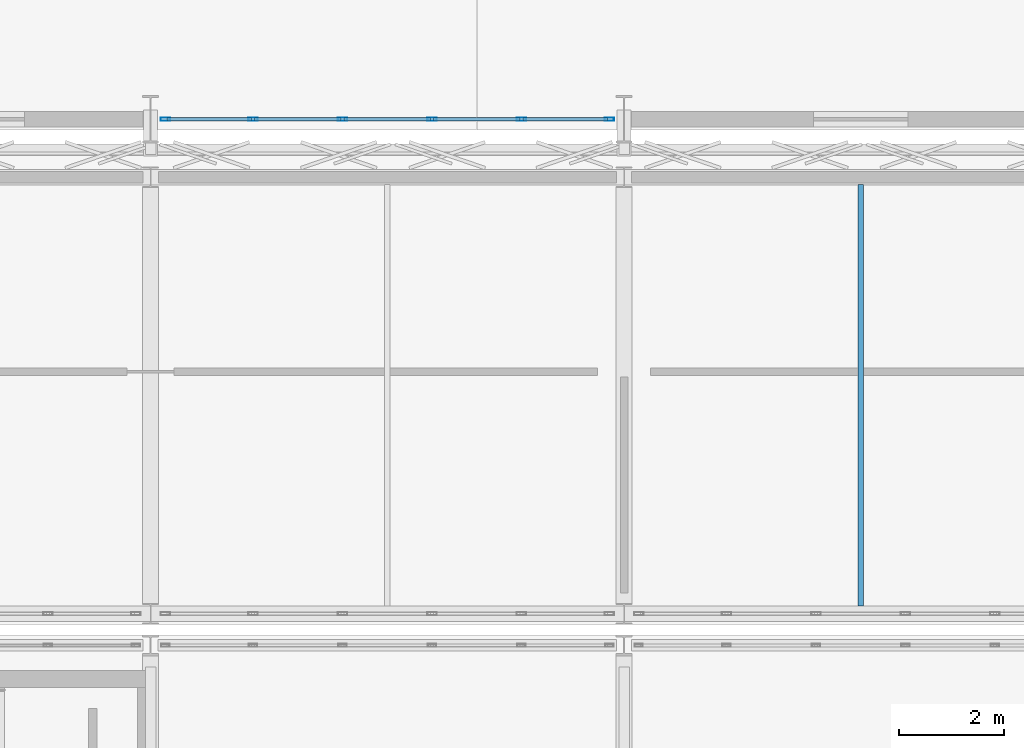
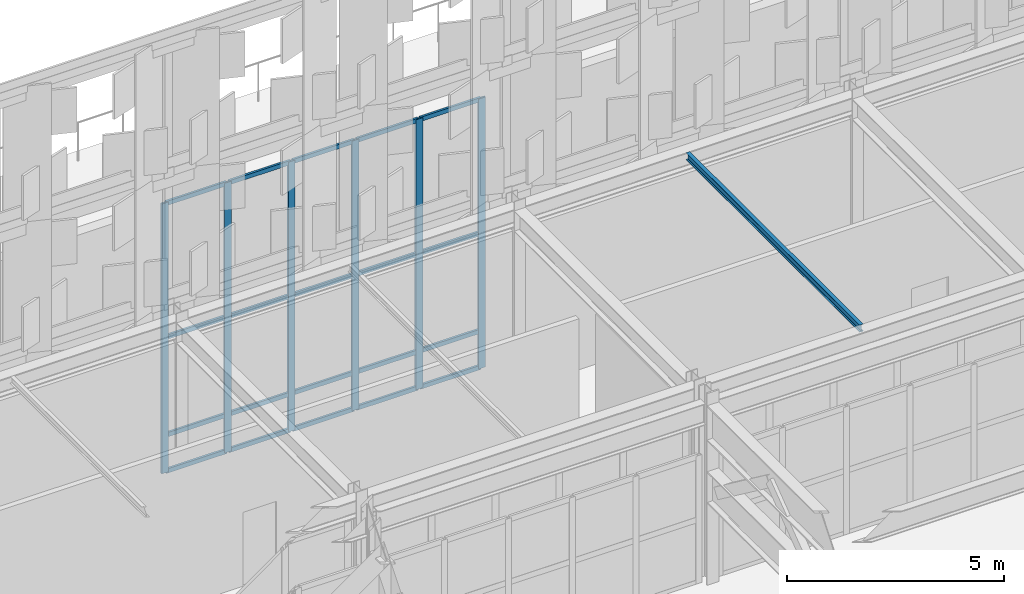
# One storey, part 52 of 210: 26 members, 1 beam, 1 element without a shape of its own.
"""IFC4 building model written with IfcOpenShell, lengths in metres."""

from ifc_helpers import new_model, si_unit, direction, frame, origin, origin_2d, place, context, subcontext, project, spatial, hollow_rectangle, i_section, extrude, material, material_profile, profile_set, type_object, element, aggregate, save


model = new_model("IFC4")

# Units and contexts
model_context = context("Model", 3, precision=1e-05, world=origin(), true_north=direction((0.0, 1.0)))
body_context = subcontext(model_context, "Body", "Model", "MODEL_VIEW")
ifc_project = project(units=[si_unit("LENGTHUNIT", "METRE"), si_unit("AREAUNIT", "SQUARE_METRE"), si_unit("VOLUMEUNIT", "CUBIC_METRE"), si_unit("PLANEANGLEUNIT", "RADIAN"), si_unit("MASSUNIT", "GRAM", prefix="KILO")], contexts=[model_context])

# Site, building, storey
site_placement = place(None, origin())
site = spatial("IfcSite", under=ifc_project, at=site_placement, CompositionType="ELEMENT")
building_placement = place(site_placement, origin())
building = spatial("IfcBuilding", under=site, at=building_placement, Name="Kaldris Quays Convention Centre", CompositionType="ELEMENT")
storey_placement = place(building_placement, frame((0.0, 0.0, 6.0)))
storey = spatial("IfcBuildingStorey", under=building, at=storey_placement, Name="L01", CompositionType="ELEMENT", Elevation=6.0)

# Curtain wall, members
ifc_material_1 = material(Name="Anodized aluminium AW-6060 and triple glazing", Category="aluminium")
curtain_wall_type = type_object("IfcCurtainWallType", Name="UNITISED CURTAIN WALL CW03", PredefinedType="NOTDEFINED", material=ifc_material_1)
curtain_wall_placement = place(storey_placement, origin())
curtain_wall = element("IfcCurtainWall", 1, at=curtain_wall_placement, inside=storey, type_object=curtain_wall_type, Name="L01 Unitised Curtain Wall CW03 5", PredefinedType="NOTDEFINED")
ifc_material_2 = material(Name="Anodized aluminium AW-6060", Category="aluminium")
ifc_material_profile_1 = material_profile(ifc_material_2, hollow_rectangle(XDim=0.06005859375, YDim=0.179931640625, WallThickness=0.0048828125, at=origin_2d()), Name="RHS 180x60x5")
ifc_profile_set_1 = profile_set([ifc_material_profile_1], Name="Anodized aluminium AW-6060")
member_type_1 = type_object("IfcMemberType", Name="CURTAIN MULLION CWM2", PredefinedType="MULLION", material=ifc_profile_set_1)
member_1_placement = place(storey_placement, frame((56.280029296875, 56.0, 0.0), z_axis=(0.0, 0.0, 1.0), x_axis=(0.0, 1.0, 0.0)))
member_1 = element("IfcMember", 2, at=member_1_placement, type_object=member_type_1, Name="CW03 mullion 1", PredefinedType="MULLION", context=body_context, shape_type="SweptSolid", body=[
    extrude(hollow_rectangle(XDim=0.06005859375, YDim=0.179931640625, WallThickness=0.0048828125, at=origin_2d()), origin(), (0.0, 0.0, 1.0), 7.60009765625),
])
member_2_placement = place(storey_placement, frame((57.949951171875, 56.0, 0.0), z_axis=(0.0, 0.0, 1.0), x_axis=(0.0, 1.0, 0.0)))
member_2 = element("IfcMember", 3, at=member_2_placement, type_object=member_type_1, Name="CW03 mullion 2", PredefinedType="MULLION", context=body_context, shape_type="SweptSolid", body=[
    extrude(hollow_rectangle(XDim=0.06005859375, YDim=0.179931640625, WallThickness=0.0048828125, at=origin_2d()), origin(), (0.0, 0.0, 1.0), 7.60009765625),
])
member_3_placement = place(storey_placement, frame((59.64990234375, 56.0, 0.0), z_axis=(0.0, 0.0, 1.0), x_axis=(0.0, 1.0, 0.0)))
member_3 = element("IfcMember", 4, at=member_3_placement, type_object=member_type_1, Name="CW03 mullion 3", PredefinedType="MULLION", context=body_context, shape_type="SweptSolid", body=[
    extrude(hollow_rectangle(XDim=0.06005859375, YDim=0.179931640625, WallThickness=0.0048828125, at=origin_2d()), origin(), (0.0, 0.0, 1.0), 7.60009765625),
])
member_4_placement = place(storey_placement, frame((61.35009765625, 56.0, 0.0), z_axis=(0.0, 0.0, 1.0), x_axis=(0.0, 1.0, 0.0)))
member_4 = element("IfcMember", 5, at=member_4_placement, type_object=member_type_1, Name="CW03 mullion 4", PredefinedType="MULLION", context=body_context, shape_type="SweptSolid", body=[
    extrude(hollow_rectangle(XDim=0.06005859375, YDim=0.179931640625, WallThickness=0.0048828125, at=origin_2d()), origin(), (0.0, 0.0, 1.0), 7.60009765625),
])
member_5_placement = place(storey_placement, frame((63.050048828125, 56.0, 0.0), z_axis=(0.0, 0.0, 1.0), x_axis=(0.0, 1.0, 0.0)))
member_5 = element("IfcMember", 6, at=member_5_placement, type_object=member_type_1, Name="CW03 mullion 5", PredefinedType="MULLION", context=body_context, shape_type="SweptSolid", body=[
    extrude(hollow_rectangle(XDim=0.06005859375, YDim=0.179931640625, WallThickness=0.0048828125, at=origin_2d()), origin(), (0.0, 0.0, 1.0), 7.60009765625),
])
member_6_placement = place(storey_placement, frame((64.719970703125, 56.0, 0.0), z_axis=(0.0, 0.0, 1.0), x_axis=(0.0, 1.0, 0.0)))
member_6 = element("IfcMember", 7, at=member_6_placement, type_object=member_type_1, Name="CW03 mullion 6", PredefinedType="MULLION", context=body_context, shape_type="SweptSolid", body=[
    extrude(hollow_rectangle(XDim=0.06005859375, YDim=0.179931640625, WallThickness=0.0048828125, at=origin_2d()), origin(), (0.0, 0.0, 1.0), 7.60009765625),
])
ifc_material_profile_2 = material_profile(ifc_material_2, hollow_rectangle(XDim=0.06005859375, YDim=0.1201171875, WallThickness=0.00390625, at=origin_2d()), Name="RHS 120x60x4")
ifc_profile_set_2 = profile_set([ifc_material_profile_2], Name="Anodized aluminium AW-6060")
member_type_2 = type_object("IfcMemberType", Name="CURTAIN TRANSOM CWT1", PredefinedType="USERDEFINED", material=ifc_profile_set_2)
member_7_placement = place(storey_placement, frame((56.31005859375, 56.0, 0.030029296875), z_axis=(1.0, 0.0, 0.0), x_axis=(0.0, 1.0, 0.0)))
member_7 = element("IfcMember", 8, at=member_7_placement, type_object=member_type_2, Name="CW03 transom 1.1", ObjectType="TRANSOM", PredefinedType="USERDEFINED", context=body_context, shape_type="SweptSolid", body=[
    extrude(hollow_rectangle(XDim=0.06005859375, YDim=0.1201171875, WallThickness=0.00390625, at=origin_2d()), origin(), (0.0, 0.0, 1.0), 1.60986328125),
])
member_8_placement = place(storey_placement, frame((56.31005859375, 56.0, 1.050048828125), z_axis=(1.0, 0.0, 0.0), x_axis=(0.0, 1.0, 0.0)))
member_8 = element("IfcMember", 9, at=member_8_placement, type_object=member_type_2, Name="CW03 transom 1.2", ObjectType="TRANSOM", PredefinedType="USERDEFINED", context=body_context, shape_type="SweptSolid", body=[
    extrude(hollow_rectangle(XDim=0.06005859375, YDim=0.1201171875, WallThickness=0.00390625, at=origin_2d()), origin(), (0.0, 0.0, 1.0), 1.60986328125),
])
member_9_placement = place(storey_placement, frame((56.31005859375, 56.0, 3.800048828125), z_axis=(1.0, 0.0, 0.0), x_axis=(0.0, 1.0, 0.0)))
member_9 = element("IfcMember", 10, at=member_9_placement, type_object=member_type_2, Name="CW03 transom 1.3", ObjectType="TRANSOM", PredefinedType="USERDEFINED", context=body_context, shape_type="SweptSolid", body=[
    extrude(hollow_rectangle(XDim=0.06005859375, YDim=0.1201171875, WallThickness=0.00390625, at=origin_2d()), origin(), (0.0, 0.0, 1.0), 1.60986328125),
])
member_10_placement = place(storey_placement, frame((56.31005859375, 56.0, 7.570068359375), z_axis=(1.0, 0.0, 0.0), x_axis=(0.0, 1.0, 0.0)))
member_10 = element("IfcMember", 11, at=member_10_placement, type_object=member_type_2, Name="CW03 transom 1.4", ObjectType="TRANSOM", PredefinedType="USERDEFINED", context=body_context, shape_type="SweptSolid", body=[
    extrude(hollow_rectangle(XDim=0.06005859375, YDim=0.1201171875, WallThickness=0.00390625, at=origin_2d()), origin(), (0.0, 0.0, 1.0), 1.60986328125),
])
member_11_placement = place(storey_placement, frame((57.97998046875, 56.0, 0.030029296875), z_axis=(1.0, 0.0, 0.0), x_axis=(0.0, 1.0, 0.0)))
member_11 = element("IfcMember", 12, at=member_11_placement, type_object=member_type_2, Name="CW03 transom 2.1", ObjectType="TRANSOM", PredefinedType="USERDEFINED", context=body_context, shape_type="SweptSolid", body=[
    extrude(hollow_rectangle(XDim=0.06005859375, YDim=0.1201171875, WallThickness=0.00390625, at=origin_2d()), origin(), (0.0, 0.0, 1.0), 1.64013671875),
])
member_12_placement = place(storey_placement, frame((57.97998046875, 56.0, 1.050048828125), z_axis=(1.0, 0.0, 0.0), x_axis=(0.0, 1.0, 0.0)))
member_12 = element("IfcMember", 13, at=member_12_placement, type_object=member_type_2, Name="CW03 transom 2.2", ObjectType="TRANSOM", PredefinedType="USERDEFINED", context=body_context, shape_type="SweptSolid", body=[
    extrude(hollow_rectangle(XDim=0.06005859375, YDim=0.1201171875, WallThickness=0.00390625, at=origin_2d()), origin(), (0.0, 0.0, 1.0), 1.64013671875),
])
member_13_placement = place(storey_placement, frame((57.97998046875, 56.0, 3.800048828125), z_axis=(1.0, 0.0, 0.0), x_axis=(0.0, 1.0, 0.0)))
member_13 = element("IfcMember", 14, at=member_13_placement, type_object=member_type_2, Name="CW03 transom 2.3", ObjectType="TRANSOM", PredefinedType="USERDEFINED", context=body_context, shape_type="SweptSolid", body=[
    extrude(hollow_rectangle(XDim=0.06005859375, YDim=0.1201171875, WallThickness=0.00390625, at=origin_2d()), origin(), (0.0, 0.0, 1.0), 1.64013671875),
])
member_14_placement = place(storey_placement, frame((57.97998046875, 56.0, 7.570068359375), z_axis=(1.0, 0.0, 0.0), x_axis=(0.0, 1.0, 0.0)))
member_14 = element("IfcMember", 15, at=member_14_placement, type_object=member_type_2, Name="CW03 transom 2.4", ObjectType="TRANSOM", PredefinedType="USERDEFINED", context=body_context, shape_type="SweptSolid", body=[
    extrude(hollow_rectangle(XDim=0.06005859375, YDim=0.1201171875, WallThickness=0.00390625, at=origin_2d()), origin(), (0.0, 0.0, 1.0), 1.64013671875),
])
member_15_placement = place(storey_placement, frame((59.679931640625, 56.0, 0.030029296875), z_axis=(1.0, 0.0, 0.0), x_axis=(0.0, 1.0, 0.0)))
member_15 = element("IfcMember", 16, at=member_15_placement, type_object=member_type_2, Name="CW03 transom 3.1", ObjectType="TRANSOM", PredefinedType="USERDEFINED", context=body_context, shape_type="SweptSolid", body=[
    extrude(hollow_rectangle(XDim=0.06005859375, YDim=0.1201171875, WallThickness=0.00390625, at=origin_2d()), origin(), (0.0, 0.0, 1.0), 1.64013671875),
])
member_16_placement = place(storey_placement, frame((59.679931640625, 56.0, 1.050048828125), z_axis=(1.0, 0.0, 0.0), x_axis=(0.0, 1.0, 0.0)))
member_16 = element("IfcMember", 17, at=member_16_placement, type_object=member_type_2, Name="CW03 transom 3.2", ObjectType="TRANSOM", PredefinedType="USERDEFINED", context=body_context, shape_type="SweptSolid", body=[
    extrude(hollow_rectangle(XDim=0.06005859375, YDim=0.1201171875, WallThickness=0.00390625, at=origin_2d()), origin(), (0.0, 0.0, 1.0), 1.64013671875),
])
member_17_placement = place(storey_placement, frame((59.679931640625, 56.0, 3.800048828125), z_axis=(1.0, 0.0, 0.0), x_axis=(0.0, 1.0, 0.0)))
member_17 = element("IfcMember", 18, at=member_17_placement, type_object=member_type_2, Name="CW03 transom 3.3", ObjectType="TRANSOM", PredefinedType="USERDEFINED", context=body_context, shape_type="SweptSolid", body=[
    extrude(hollow_rectangle(XDim=0.06005859375, YDim=0.1201171875, WallThickness=0.00390625, at=origin_2d()), origin(), (0.0, 0.0, 1.0), 1.64013671875),
])
member_18_placement = place(storey_placement, frame((59.679931640625, 56.0, 7.570068359375), z_axis=(1.0, 0.0, 0.0), x_axis=(0.0, 1.0, 0.0)))
member_18 = element("IfcMember", 19, at=member_18_placement, type_object=member_type_2, Name="CW03 transom 3.4", ObjectType="TRANSOM", PredefinedType="USERDEFINED", context=body_context, shape_type="SweptSolid", body=[
    extrude(hollow_rectangle(XDim=0.06005859375, YDim=0.1201171875, WallThickness=0.00390625, at=origin_2d()), origin(), (0.0, 0.0, 1.0), 1.64013671875),
])
member_19_placement = place(storey_placement, frame((61.3798828125, 56.0, 0.030029296875), z_axis=(1.0, 0.0, 0.0), x_axis=(0.0, 1.0, 0.0)))
member_19 = element("IfcMember", 20, at=member_19_placement, type_object=member_type_2, Name="CW03 transom 4.1", ObjectType="TRANSOM", PredefinedType="USERDEFINED", context=body_context, shape_type="SweptSolid", body=[
    extrude(hollow_rectangle(XDim=0.06005859375, YDim=0.1201171875, WallThickness=0.00390625, at=origin_2d()), origin(), (0.0, 0.0, 1.0), 1.64013671875),
])
member_20_placement = place(storey_placement, frame((61.3798828125, 56.0, 1.050048828125), z_axis=(1.0, 0.0, 0.0), x_axis=(0.0, 1.0, 0.0)))
member_20 = element("IfcMember", 21, at=member_20_placement, type_object=member_type_2, Name="CW03 transom 4.2", ObjectType="TRANSOM", PredefinedType="USERDEFINED", context=body_context, shape_type="SweptSolid", body=[
    extrude(hollow_rectangle(XDim=0.06005859375, YDim=0.1201171875, WallThickness=0.00390625, at=origin_2d()), origin(), (0.0, 0.0, 1.0), 1.64013671875),
])
member_21_placement = place(storey_placement, frame((61.3798828125, 56.0, 3.800048828125), z_axis=(1.0, 0.0, 0.0), x_axis=(0.0, 1.0, 0.0)))
member_21 = element("IfcMember", 22, at=member_21_placement, type_object=member_type_2, Name="CW03 transom 4.3", ObjectType="TRANSOM", PredefinedType="USERDEFINED", context=body_context, shape_type="SweptSolid", body=[
    extrude(hollow_rectangle(XDim=0.06005859375, YDim=0.1201171875, WallThickness=0.00390625, at=origin_2d()), origin(), (0.0, 0.0, 1.0), 1.64013671875),
])
member_22_placement = place(storey_placement, frame((61.3798828125, 56.0, 7.570068359375), z_axis=(1.0, 0.0, 0.0), x_axis=(0.0, 1.0, 0.0)))
member_22 = element("IfcMember", 23, at=member_22_placement, type_object=member_type_2, Name="CW03 transom 4.4", ObjectType="TRANSOM", PredefinedType="USERDEFINED", context=body_context, shape_type="SweptSolid", body=[
    extrude(hollow_rectangle(XDim=0.06005859375, YDim=0.1201171875, WallThickness=0.00390625, at=origin_2d()), origin(), (0.0, 0.0, 1.0), 1.64013671875),
])
member_23_placement = place(storey_placement, frame((63.080078125, 56.0, 0.030029296875), z_axis=(1.0, 0.0, 0.0), x_axis=(0.0, 1.0, 0.0)))
member_23 = element("IfcMember", 24, at=member_23_placement, type_object=member_type_2, Name="CW03 transom 5.1", ObjectType="TRANSOM", PredefinedType="USERDEFINED", context=body_context, shape_type="SweptSolid", body=[
    extrude(hollow_rectangle(XDim=0.06005859375, YDim=0.1201171875, WallThickness=0.00390625, at=origin_2d()), origin(), (0.0, 0.0, 1.0), 1.60986328125),
])
member_24_placement = place(storey_placement, frame((63.080078125, 56.0, 1.050048828125), z_axis=(1.0, 0.0, 0.0), x_axis=(0.0, 1.0, 0.0)))
member_24 = element("IfcMember", 25, at=member_24_placement, type_object=member_type_2, Name="CW03 transom 5.2", ObjectType="TRANSOM", PredefinedType="USERDEFINED", context=body_context, shape_type="SweptSolid", body=[
    extrude(hollow_rectangle(XDim=0.06005859375, YDim=0.1201171875, WallThickness=0.00390625, at=origin_2d()), origin(), (0.0, 0.0, 1.0), 1.60986328125),
])
member_25_placement = place(storey_placement, frame((63.080078125, 56.0, 3.800048828125), z_axis=(1.0, 0.0, 0.0), x_axis=(0.0, 1.0, 0.0)))
member_25 = element("IfcMember", 26, at=member_25_placement, type_object=member_type_2, Name="CW03 transom 5.3", ObjectType="TRANSOM", PredefinedType="USERDEFINED", context=body_context, shape_type="SweptSolid", body=[
    extrude(hollow_rectangle(XDim=0.06005859375, YDim=0.1201171875, WallThickness=0.00390625, at=origin_2d()), origin(), (0.0, 0.0, 1.0), 1.60986328125),
])
member_26_placement = place(storey_placement, frame((63.080078125, 56.0, 7.570068359375), z_axis=(1.0, 0.0, 0.0), x_axis=(0.0, 1.0, 0.0)))
member_26 = element("IfcMember", 27, at=member_26_placement, type_object=member_type_2, Name="CW03 transom 5.4", ObjectType="TRANSOM", PredefinedType="USERDEFINED", context=body_context, shape_type="SweptSolid", body=[
    extrude(hollow_rectangle(XDim=0.06005859375, YDim=0.1201171875, WallThickness=0.00390625, at=origin_2d()), origin(), (0.0, 0.0, 1.0), 1.60986328125),
])
aggregate(curtain_wall, [member_1, member_2, member_3, member_4, member_5, member_6, member_7, member_8, member_9, member_10, member_11, member_12, member_13, member_14, member_15, member_16, member_17, member_18, member_19, member_20, member_21, member_22, member_23, member_24, member_25, member_26])

# Beam
ifc_material_3 = material(Name="Steel S355J2", Category="steel")
ifc_material_profile_3 = material_profile(ifc_material_3, i_section(OverallWidth=0.10009765625, OverallDepth=0.199951171875, WebThickness=0.005615234375, FlangeThickness=0.008544921875, FilletRadius=0.011962890625, at=origin_2d()), Name="IPE 200")
ifc_profile_set_3 = profile_set([ifc_material_profile_3], Name="Steel S355J2")
beam_type = type_object("IfcBeamType", Name="STRUCTURAL BEAM JT09", PredefinedType="JOIST", material=ifc_profile_set_3)
beam_placement = place(storey_placement, frame((69.5, 46.743896484375, 5.04296875), z_axis=(0.0, 1.0, 0.0), x_axis=(-1.0, 0.0, 0.0)))
element("IfcBeam", 28, at=beam_placement, inside=storey, type_object=beam_type, Name="L01 Secondary Joist JT09 5", PredefinedType="JOIST", context=body_context, shape_type="SweptSolid", body=[
    extrude(i_section(OverallWidth=0.10009765625, OverallDepth=0.199951171875, WebThickness=0.005615234375, FlangeThickness=0.008544921875, FilletRadius=0.011962890625, at=origin_2d()), origin(), (0.0, 0.0, 1.0), 8.01220703125),
])

save(model, "model.ifc")
